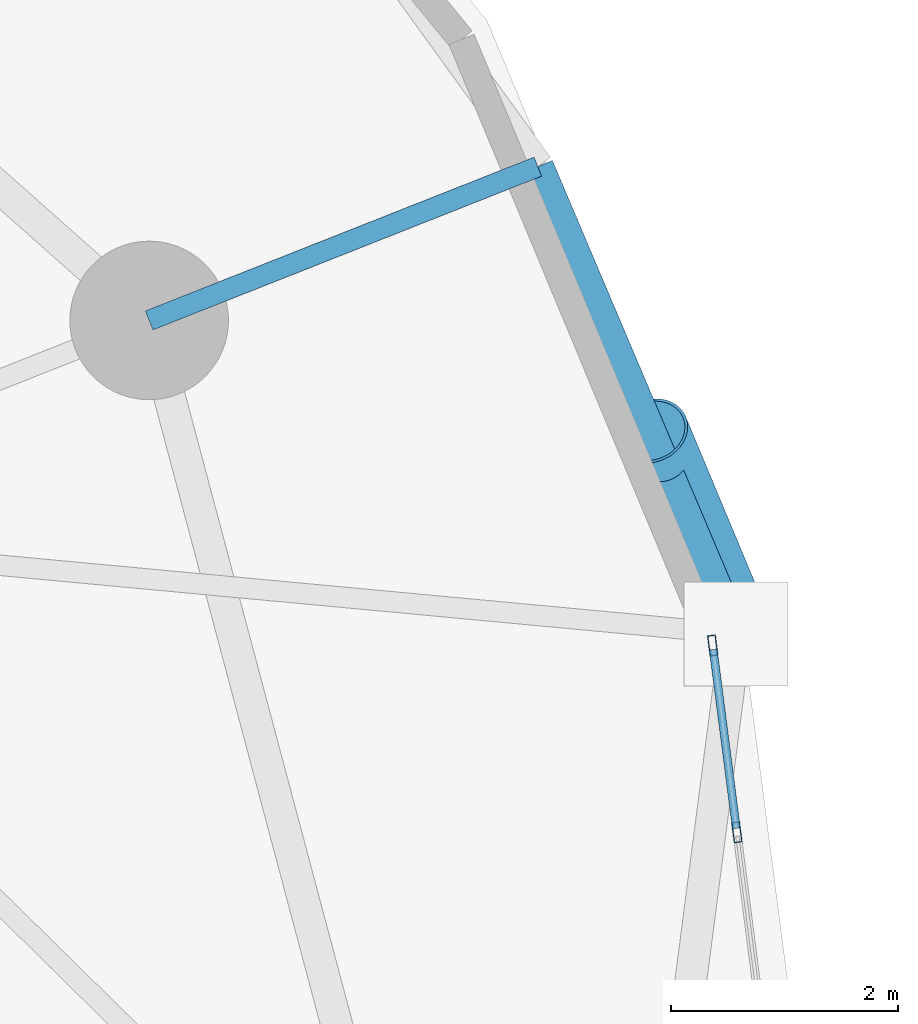
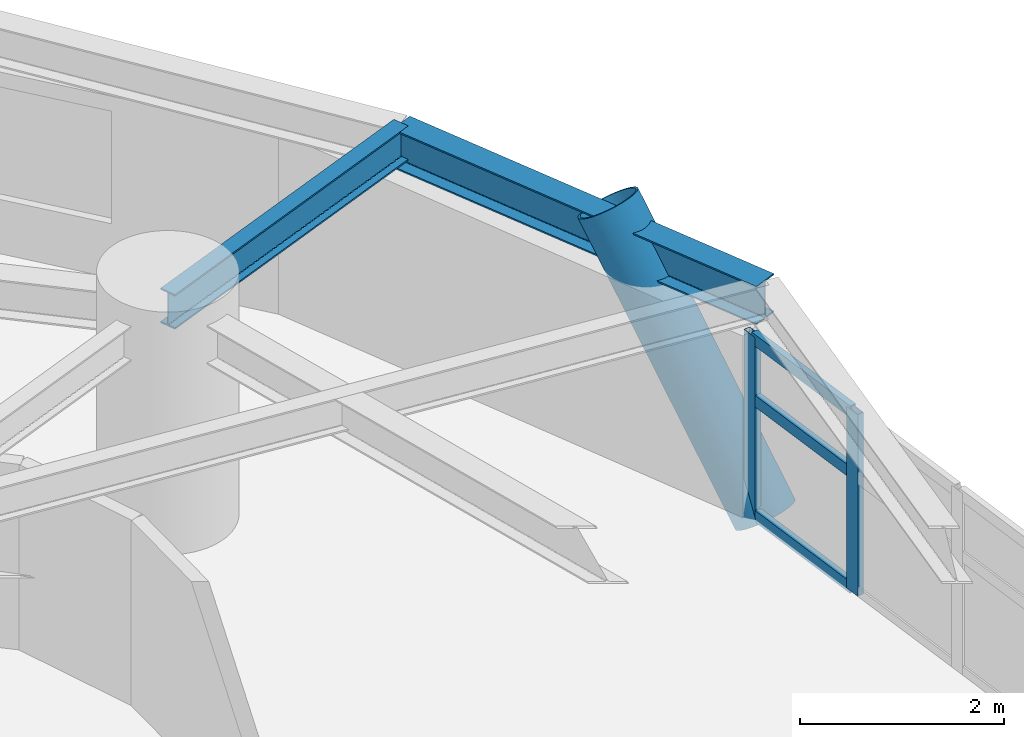
# One storey, part 4 of 18: 6 members, 2 beams, 1 element without a shape of its own.
"""IFC4 building model written with IfcOpenShell, lengths in metres."""

from ifc_helpers import new_model, si_unit, direction, frame, origin, origin_2d, place, context, subcontext, project, spatial, hollow_rectangle, hollow_circle, i_section, extrude, material, layer, layer_set, material_profile, profile_set, type_object, element, aggregate, save


model = new_model("IFC4")

# Units and contexts
model_context = context("Model", 3, precision=1e-05, world=origin(), true_north=direction((0.0, 1.0)))
body_context = subcontext(model_context, "Body", "Model", "MODEL_VIEW")
ifc_project = project(units=[si_unit("LENGTHUNIT", "METRE"), si_unit("AREAUNIT", "SQUARE_METRE"), si_unit("VOLUMEUNIT", "CUBIC_METRE"), si_unit("PLANEANGLEUNIT", "RADIAN"), si_unit("MASSUNIT", "GRAM", prefix="KILO")], contexts=[model_context])

# Site, building, storey
site_placement = place(None, origin())
site = spatial("IfcSite", under=ifc_project, at=site_placement, CompositionType="ELEMENT")
building_placement = place(site_placement, origin())
building = spatial("IfcBuilding", under=site, at=building_placement, Name="Cununo Teusaquillo Station Towers", CompositionType="ELEMENT")
storey_placement = place(building_placement, frame((0.0, 0.0, 75.969970703125)))
storey = spatial("IfcBuildingStorey", under=building, at=storey_placement, Name="L23", CompositionType="ELEMENT", Elevation=75.969970703125)

# Beams
ifc_material_1 = material(Name="Steel ASTM A572 Grade 50", Category="steel")
ifc_material_profile_1 = material_profile(ifc_material_1, i_section(OverallWidth=0.180908203125, OverallDepth=0.4169921875, WebThickness=0.010986328125, FlangeThickness=0.018310546875, FilletRadius=0.012939453125, at=origin_2d()), Name="W16X57")
ifc_profile_set_1 = profile_set([ifc_material_profile_1], Name="Steel ASTM A572 Grade 50")
beam_type_1 = type_object("IfcBeamType", Name="BM-RAD-G2", PredefinedType="BEAM", material=ifc_profile_set_1)
beam_1_placement = place(storey_placement, frame((26.347412109375, 33.228515625, 2.46142578125), z_axis=(0.929861788731, 0.367909029323, 0.0), x_axis=(-0.367909029323, 0.929861788731, 0.0)))
element("IfcBeam", 1, at=beam_1_placement, inside=storey, type_object=beam_type_1, Name="L23 Tower A Perimeter Overhang Girder 02B", PredefinedType="BEAM", context=body_context, shape_type="SweptSolid", body=[
    extrude(i_section(OverallWidth=0.180908203125, OverallDepth=0.4169921875, WebThickness=0.010986328125, FlangeThickness=0.018310546875, FilletRadius=0.012939453125, at=origin_2d()), origin(), (0.0, 0.0, 1.0), 3.690185546875),
])
ifc_material_2 = material(Name="Steel ASTM A572 Grade 50", Category="steel")
ifc_material_profile_2 = material_profile(ifc_material_2, i_section(OverallWidth=0.280029296875, OverallDepth=0.462890625, WebThickness=0.0107421875, FlangeThickness=0.017333984375, FilletRadius=0.013916015625, at=origin_2d()), Name="W18X76")
ifc_profile_set_2 = profile_set([ifc_material_profile_2], Name="Steel ASTM A572 Grade 50")
beam_type_2 = type_object("IfcBeamType", Name="BM-RING-Z2", PredefinedType="SPANDREL", material=ifc_profile_set_2)
beam_2_placement = place(storey_placement, frame((31.527587890625, 30.4609375, 2.4384765625), z_axis=(-0.390299356049, 0.920688010494, 0.0), x_axis=(-0.920688010494, -0.390299356049, 0.0)))
element("IfcBeam", 2, at=beam_2_placement, inside=storey, type_object=beam_type_2, Name="L23 Tower A Spandrel Ring Beam 02", PredefinedType="SPANDREL", context=body_context, shape_type="SweptSolid", body=[
    extrude(i_section(OverallWidth=0.280029296875, OverallDepth=0.462890625, WebThickness=0.0107421875, FlangeThickness=0.017333984375, FilletRadius=0.013916015625, at=origin_2d()), origin(), (0.0, 0.0, 1.0), 4.480712890625),
])

# Curtain wall, members
ifc_material_3 = material(Name="Ceramic-fritted dark low-E double glazing", Category="glass")
ifc_layer = layer(ifc_material_3, 0.179931640625)
ifc_layer_set = layer_set([ifc_layer], Name="Ceramic-fritted dark low-E double glazing")
curtain_wall_type = type_object("IfcCurtainWallType", Name="CW-SYS-04", PredefinedType="USERDEFINED", material=ifc_layer_set)
curtain_wall_placement = place(storey_placement, origin())
curtain_wall = element("IfcCurtainWall", 3, at=curtain_wall_placement, inside=storey, type_object=curtain_wall_type, Name="L23 Tower A Facade Curtain Wall C00", ObjectType="FRITTED GLAZING", PredefinedType="USERDEFINED")
ifc_material_4 = material(Name="Anodised dark bronze aluminium EN AW-6063-T6", Category="aluminium")
ifc_material_profile_3 = material_profile(ifc_material_4, hollow_rectangle(XDim=0.070068359375, YDim=0.179931640625, WallThickness=0.00390625, at=origin_2d()), Name="CW-MULL-70x180")
ifc_profile_set_3 = profile_set([ifc_material_profile_3], Name="Anodised dark bronze aluminium EN AW-6063-T6")
member_type_1 = type_object("IfcMemberType", Name="CWM-180", PredefinedType="MULLION", material=ifc_profile_set_3)
member_1_placement = place(storey_placement, frame((31.322998046875, 30.3583984375, 0.0), z_axis=(0.0, 0.0, 1.0), x_axis=(0.991730764367, 0.128335852387, 0.0)))
member_1 = element("IfcMember", 4, at=member_1_placement, type_object=member_type_1, Name="CW-04 mullion 1", PredefinedType="MULLION", context=body_context, shape_type="SweptSolid", body=[
    extrude(hollow_rectangle(XDim=0.070068359375, YDim=0.179931640625, WallThickness=0.00390625, at=origin_2d()), origin(), (0.0, 0.0, 1.0), 2.178955078125),
])
member_2_placement = place(storey_placement, frame((31.5361328125, 28.709716796875, 0.0), z_axis=(0.0, 0.0, 1.0), x_axis=(0.991730764367, 0.128335852387, 0.0)))
member_2 = element("IfcMember", 5, at=member_2_placement, type_object=member_type_1, Name="CW-04 mullion 2", PredefinedType="MULLION", context=body_context, shape_type="SweptSolid", body=[
    extrude(hollow_rectangle(XDim=0.070068359375, YDim=0.179931640625, WallThickness=0.00390625, at=origin_2d()), origin(), (0.0, 0.0, 1.0), 2.178955078125),
])
ifc_material_5 = material(Name="Anodised dark bronze aluminium EN AW-6063-T6", Category="aluminium")
ifc_material_profile_4 = material_profile(ifc_material_5, hollow_rectangle(XDim=0.070068359375, YDim=0.139892578125, WallThickness=0.00390625, at=origin_2d()), Name="CW-TRAN-70x140")
ifc_profile_set_4 = profile_set([ifc_material_profile_4], Name="Anodised dark bronze aluminium EN AW-6063-T6")
member_type_2 = type_object("IfcMemberType", Name="CWT-140", PredefinedType="USERDEFINED", material=ifc_profile_set_4)
member_3_placement = place(storey_placement, frame((31.327392578125, 30.323486328125, 0.034912109375), z_axis=(0.128336210724, -0.991730717996, 0.0), x_axis=(0.991730717996, 0.128336210724, 0.0)))
member_3 = element("IfcMember", 6, at=member_3_placement, type_object=member_type_2, Name="CW-04 transom 1.1", ObjectType="TRANSOM", PredefinedType="USERDEFINED", context=body_context, shape_type="SweptSolid", body=[
    extrude(hollow_rectangle(XDim=0.070068359375, YDim=0.139892578125, WallThickness=0.00390625, at=origin_2d()), origin(), (0.0, 0.0, 1.0), 1.59228515625),
])
member_4_placement = place(storey_placement, frame((31.327392578125, 30.323486328125, 1.416015625), z_axis=(0.128336210724, -0.991730717996, 0.0), x_axis=(0.991730717996, 0.128336210724, 0.0)))
member_4 = element("IfcMember", 7, at=member_4_placement, type_object=member_type_2, Name="CW-04 transom 1.2", ObjectType="TRANSOM", PredefinedType="USERDEFINED", context=body_context, shape_type="SweptSolid", body=[
    extrude(hollow_rectangle(XDim=0.070068359375, YDim=0.139892578125, WallThickness=0.00390625, at=origin_2d()), origin(), (0.0, 0.0, 1.0), 1.59228515625),
])
member_5_placement = place(storey_placement, frame((31.327392578125, 30.323486328125, 2.14404296875), z_axis=(0.128336210724, -0.991730717996, 0.0), x_axis=(0.991730717996, 0.128336210724, 0.0)))
member_5 = element("IfcMember", 8, at=member_5_placement, type_object=member_type_2, Name="CW-04 transom 1.3", ObjectType="TRANSOM", PredefinedType="USERDEFINED", context=body_context, shape_type="SweptSolid", body=[
    extrude(hollow_rectangle(XDim=0.070068359375, YDim=0.139892578125, WallThickness=0.00390625, at=origin_2d()), origin(), (0.0, 0.0, 1.0), 1.59228515625),
])
aggregate(curtain_wall, [member_1, member_2, member_3, member_4, member_5])

# Member
ifc_material_6 = material(Name="Steel EN 10025-2 S355J2", Category="steel")
ifc_material_profile_5 = material_profile(ifc_material_6, hollow_circle(Radius=0.330078125, WallThickness=0.02490234375, at=origin_2d()), Name="CHS 660x25")
ifc_profile_set_5 = profile_set([ifc_material_profile_5], Name="Steel EN 10025-2 S355J2")
member_type_3 = type_object("IfcMemberType", Name="MBR-DIAG-Z2", PredefinedType="BRACE", material=ifc_profile_set_5)
member_6_placement = place(storey_placement, frame((31.527587890625, 30.4609375, -0.139892578125), z_axis=(-0.213813667787, 0.512343325357, 0.831737958993), x_axis=(-0.922861086318, -0.385132983993, 0.0)))
element("IfcMember", 9, at=member_6_placement, inside=storey, type_object=member_type_3, Name="L23 Tower A Folded-Zigzag Diagrid Tube C01", PredefinedType="BRACE", context=body_context, shape_type="SweptSolid", body=[
    extrude(hollow_circle(Radius=0.330078125, WallThickness=0.02490234375, at=origin_2d()), origin(), (0.0, 0.0, 1.0), 3.49853515625),
])

save(model, "model.ifc")
